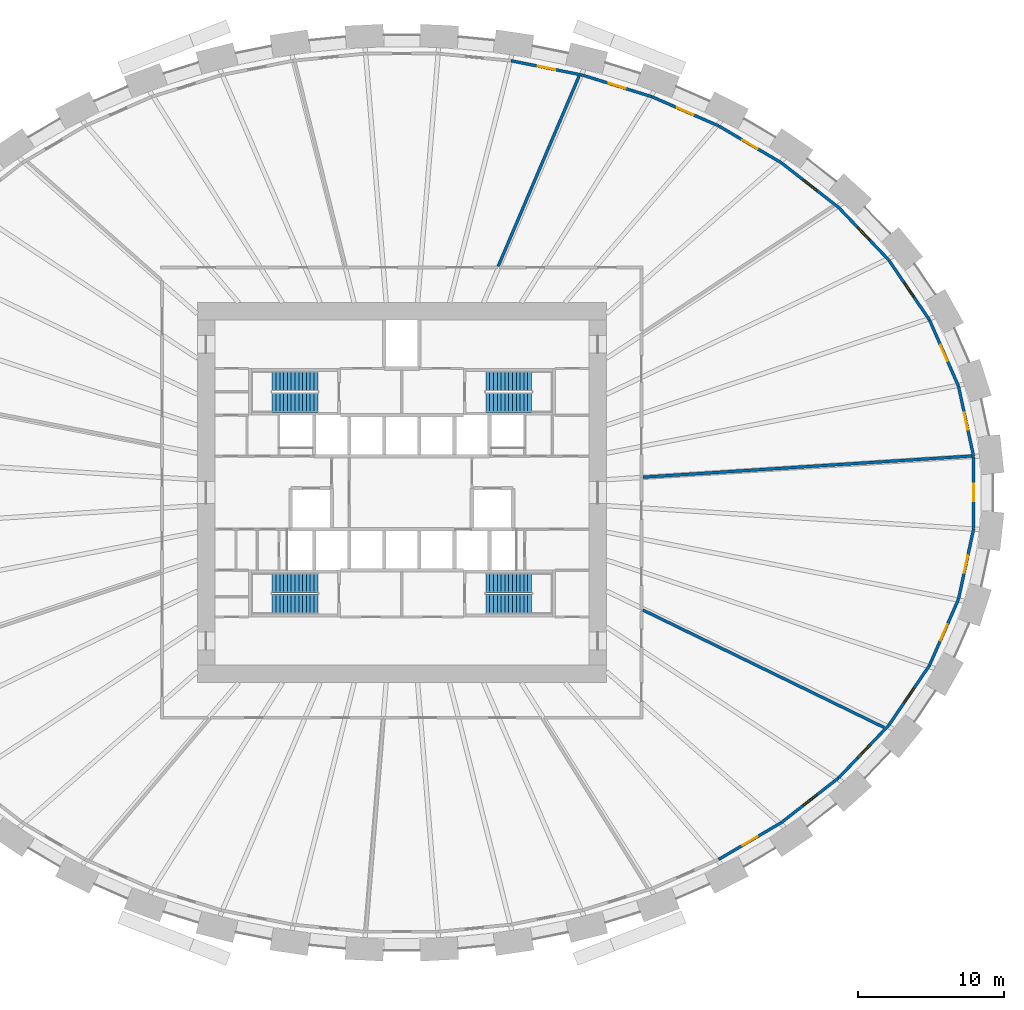
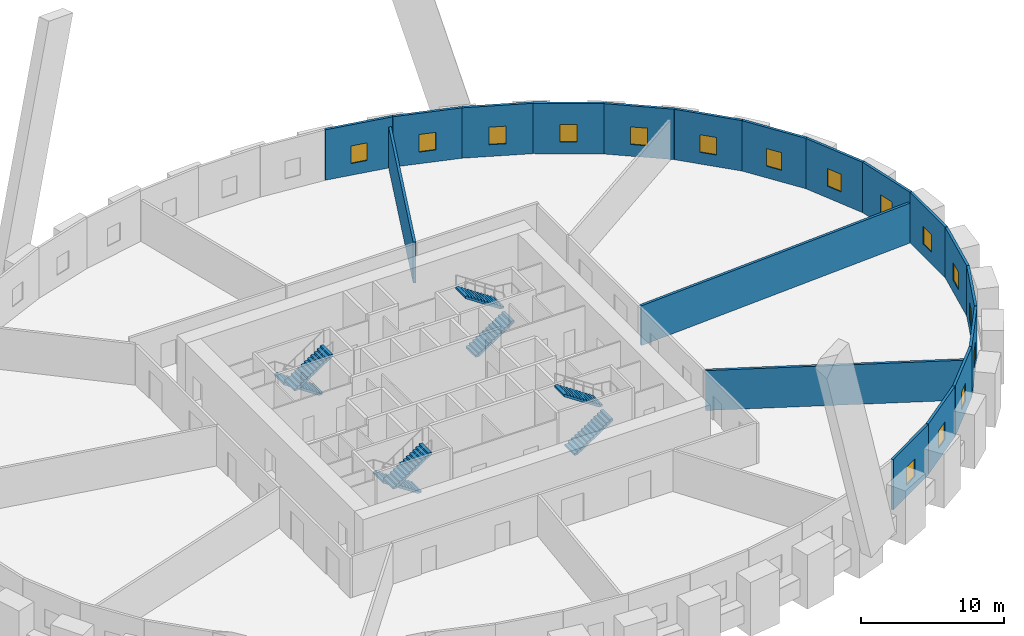
# One storey, part 8 of 9: 19 walls, 16 windows, 8 stair flights, 16 openings, 4 elements without a shape of their own.
"""IFC4 building model written with IfcOpenShell, lengths in metres."""

from ifc_helpers import new_model, si_unit, direction, frame, frame_2d, origin, place, context, subcontext, project, spatial, polyline, rectangle, outline, extrude, source, transform, mapped, material, layer, layer_set, type_object, element, fill, aggregate, save


model = new_model("IFC4")

# Units and contexts
model_context = context("Model", 3, precision=1e-05, world=origin(), true_north=direction((0.0, 1.0)))
body_context = subcontext(model_context, "Body", "Model", "MODEL_VIEW")
ifc_project = project(units=[si_unit("LENGTHUNIT", "METRE"), si_unit("AREAUNIT", "SQUARE_METRE"), si_unit("VOLUMEUNIT", "CUBIC_METRE"), si_unit("PLANEANGLEUNIT", "RADIAN"), si_unit("MASSUNIT", "GRAM", prefix="KILO")], contexts=[model_context])

# Site, building, storey
site_placement = place(None, origin())
site = spatial("IfcSite", under=ifc_project, at=site_placement, CompositionType="ELEMENT")
building_placement = place(site_placement, origin())
building = spatial("IfcBuilding", under=site, at=building_placement, Name="Embergate Tower", CompositionType="ELEMENT")
storey_placement = place(building_placement, frame((0.0, 0.0, 53.60009765625)))
storey = spatial("IfcBuildingStorey", under=building, at=storey_placement, Name="L09", CompositionType="ELEMENT", Elevation=53.60009765625)

# Wall, opening, window
ifc_material_1 = material(Name="Terracotta louvre cladding on insulated backing", Category="masonry")
ifc_layer_1 = layer(ifc_material_1, 0.199951171875)
ifc_layer_set_1 = layer_set([ifc_layer_1], Name="Terracotta louvre cladding on insulated backing")
wall_type_1 = type_object("IfcWallType", Name="Terracotta louvre wall", PredefinedType="SOLIDWALL", material=ifc_layer_set_1)
shared_shape_1 = source(origin(), body_context, "Body", "SweptSolid", [
    extrude(rectangle(XDim=4.91845703125, YDim=0.199951171875, at=frame_2d((2.459228515625, 0.0))), origin(), (0.0, 0.0, 1.0), 4.2998046875),
])
wall_1_placement = place(storey_placement, frame((38.085693359375, 7.285888671875, 0.0), z_axis=(0.0, 0.0, 1.0), x_axis=(0.210413762809, -0.977612422395, 0.0)))
wall_1 = element("IfcWall", 1, at=wall_1_placement, inside=storey, type_object=wall_type_1, Name="Louvre wall 1", PredefinedType="SOLIDWALL", context=body_context, shape_type="MappedRepresentation", body=[
    mapped(shared_shape_1, transform((0.0, 0.0, 0.0))),
])
shared_shape_2 = source(origin(), body_context, "Body", "SweptSolid", [
    extrude(rectangle(XDim=1.199951171875, YDim=1.5, at=frame_2d((0.60009765625, 0.75))), frame((0.0, 0.10986328125, 0.0), z_axis=(0.0, -1.0, 0.0), x_axis=(1.0, 0.0, 0.0)), (0.0, 0.0, 1.0), 0.219970703125),
])
opening_1_placement = place(wall_1_placement, frame((1.859130859375, 0.0, 1.0)))
opening_1 = element("IfcOpeningElement", 2, at=opening_1_placement, cuts=wall_1, Name="Opening RW", PredefinedType="OPENING", context=body_context, shape_type="MappedRepresentation", body=[
    mapped(shared_shape_2, transform((0.0, 0.0, 0.0))),
])
ifc_material_2 = material(Name="Aluminium, thermally broken, triple glazed", Category="aluminium")
window_type = type_object("IfcWindowType", Name="Refuge operable window", PartitioningType="SINGLE_PANEL", PredefinedType="WINDOW", material=ifc_material_2)
shared_shape_3 = source(origin(), body_context, "Body", "SweptSolid", [
    extrude(rectangle(XDim=1.199951171875, YDim=1.5, at=frame_2d((0.60009765625, 0.75))), frame((0.0, 0.030029296875, 0.0), z_axis=(0.0, -1.0, 0.0), x_axis=(1.0, 0.0, 0.0)), (0.0, 0.0, 1.0), 0.06005859375),
])
window_1_placement = place(opening_1_placement, origin())
window_1 = element("IfcWindow", 3, at=window_1_placement, inside=storey, type_object=window_type, Name="Refuge window 1", OverallHeight=1.5, OverallWidth=1.199951171875, PartitioningType="SINGLE_PANEL", PredefinedType="WINDOW", context=body_context, shape_type="MappedRepresentation", body=[
    mapped(shared_shape_3, transform((0.0, 0.0, 0.0))),
])
fill(opening_1, window_1)

wall_2_placement = place(storey_placement, frame((39.12060546875, -2.4775390625, 0.0), z_axis=(0.0, 0.0, 1.0), x_axis=(-0.210413762809, -0.977612422395, 0.0)))
wall_2 = element("IfcWall", 4, at=wall_2_placement, inside=storey, type_object=wall_type_1, Name="Louvre wall 43", PredefinedType="SOLIDWALL", context=body_context, shape_type="MappedRepresentation", body=[
    mapped(shared_shape_1, transform((0.0, 0.0, 0.0))),
])
opening_2_placement = place(wall_2_placement, frame((1.859130859375, 0.0, 1.0)))
opening_2 = element("IfcOpeningElement", 5, at=opening_2_placement, cuts=wall_2, Name="Opening RW", PredefinedType="OPENING", context=body_context, shape_type="MappedRepresentation", body=[
    mapped(shared_shape_2, transform((0.0, 0.0, 0.0))),
])
window_2_placement = place(opening_2_placement, origin())
window_2 = element("IfcWindow", 6, at=window_2_placement, inside=storey, type_object=window_type, Name="Refuge window 43", OverallHeight=1.5, OverallWidth=1.199951171875, PartitioningType="SINGLE_PANEL", PredefinedType="WINDOW", context=body_context, shape_type="MappedRepresentation", body=[
    mapped(shared_shape_3, transform((0.0, 0.0, 0.0))),
])
fill(opening_2, window_2)

shared_shape_4 = source(origin(), body_context, "Body", "SweptSolid", [
    extrude(rectangle(XDim=4.92578125, YDim=0.199951171875, at=frame_2d((2.462890625, 0.0))), origin(), (0.0, 0.0, 1.0), 4.2998046875),
])
wall_3_placement = place(storey_placement, frame((36.101318359375, 11.81591796875, 0.0), z_axis=(0.0, 0.0, 1.0), x_axis=(0.401622114254, -0.915805480079, 0.0)))
wall_3 = element("IfcWall", 7, at=wall_3_placement, inside=storey, type_object=wall_type_1, Name="Louvre wall 2", PredefinedType="SOLIDWALL", context=body_context, shape_type="MappedRepresentation", body=[
    mapped(shared_shape_4, transform((0.0, 0.0, 0.0))),
])
opening_3_placement = place(wall_3_placement, frame((1.86279296875, 0.0, 1.0)))
opening_3 = element("IfcOpeningElement", 8, at=opening_3_placement, cuts=wall_3, Name="Opening RW", PredefinedType="OPENING", context=body_context, shape_type="MappedRepresentation", body=[
    mapped(shared_shape_2, transform((0.0, 0.0, 0.0))),
])
window_3_placement = place(opening_3_placement, origin())
window_3 = element("IfcWindow", 9, at=window_3_placement, inside=storey, type_object=window_type, Name="Refuge window 2", OverallHeight=1.5, OverallWidth=1.199951171875, PartitioningType="SINGLE_PANEL", PredefinedType="WINDOW", context=body_context, shape_type="MappedRepresentation", body=[
    mapped(shared_shape_3, transform((0.0, 0.0, 0.0))),
])
fill(opening_3, window_3)

wall_4_placement = place(storey_placement, frame((38.07958984375, -7.304931640625, 0.0), z_axis=(0.0, 0.0, 1.0), x_axis=(-0.401622114254, -0.915805480079, 0.0)))
wall_4 = element("IfcWall", 10, at=wall_4_placement, inside=storey, type_object=wall_type_1, Name="Louvre wall 42", PredefinedType="SOLIDWALL", context=body_context, shape_type="MappedRepresentation", body=[
    mapped(shared_shape_4, transform((0.0, 0.0, 0.0))),
])
opening_4_placement = place(wall_4_placement, frame((1.86279296875, 0.0, 1.0)))
opening_4 = element("IfcOpeningElement", 11, at=opening_4_placement, cuts=wall_4, Name="Opening RW", PredefinedType="OPENING", context=body_context, shape_type="MappedRepresentation", body=[
    mapped(shared_shape_2, transform((0.0, 0.0, 0.0))),
])
window_4_placement = place(opening_4_placement, origin())
window_4 = element("IfcWindow", 12, at=window_4_placement, inside=storey, type_object=window_type, Name="Refuge window 42", OverallHeight=1.5, OverallWidth=1.199951171875, PartitioningType="SINGLE_PANEL", PredefinedType="WINDOW", context=body_context, shape_type="MappedRepresentation", body=[
    mapped(shared_shape_3, transform((0.0, 0.0, 0.0))),
])
fill(opening_4, window_4)

shared_shape_5 = source(origin(), body_context, "Body", "SweptSolid", [
    extrude(rectangle(XDim=4.934814453125, YDim=0.199951171875, at=frame_2d((2.46728515625, 0.0))), origin(), (0.0, 0.0, 1.0), 4.2998046875),
])
wall_5_placement = place(storey_placement, frame((33.316650390625, 15.913818359375, 0.0), z_axis=(0.0, 0.0, 1.0), x_axis=(0.562360088829, -0.826892454006, 0.0)))
wall_5 = element("IfcWall", 13, at=wall_5_placement, inside=storey, type_object=wall_type_1, Name="Louvre wall 3", PredefinedType="SOLIDWALL", context=body_context, shape_type="MappedRepresentation", body=[
    mapped(shared_shape_5, transform((0.0, 0.0, 0.0))),
])
opening_5_placement = place(wall_5_placement, frame((1.867431640625, 0.0, 1.0)))
opening_5 = element("IfcOpeningElement", 14, at=opening_5_placement, cuts=wall_5, Name="Opening RW", PredefinedType="OPENING", context=body_context, shape_type="MappedRepresentation", body=[
    mapped(shared_shape_2, transform((0.0, 0.0, 0.0))),
])
window_5_placement = place(opening_5_placement, origin())
window_5 = element("IfcWindow", 15, at=window_5_placement, inside=storey, type_object=window_type, Name="Refuge window 3", OverallHeight=1.5, OverallWidth=1.199951171875, PartitioningType="SINGLE_PANEL", PredefinedType="WINDOW", context=body_context, shape_type="MappedRepresentation", body=[
    mapped(shared_shape_3, transform((0.0, 0.0, 0.0))),
])
fill(opening_5, window_5)

wall_6_placement = place(storey_placement, frame((36.091796875, -11.833251953125, 0.0), z_axis=(0.0, 0.0, 1.0), x_axis=(-0.562360088829, -0.826892454006, 0.0)))
wall_6 = element("IfcWall", 16, at=wall_6_placement, inside=storey, type_object=wall_type_1, Name="Louvre wall 41", PredefinedType="SOLIDWALL", context=body_context, shape_type="MappedRepresentation", body=[
    mapped(shared_shape_5, transform((0.0, 0.0, 0.0))),
])
opening_6_placement = place(wall_6_placement, frame((1.867431640625, 0.0, 1.0)))
opening_6 = element("IfcOpeningElement", 17, at=opening_6_placement, cuts=wall_6, Name="Opening RW", PredefinedType="OPENING", context=body_context, shape_type="MappedRepresentation", body=[
    mapped(shared_shape_2, transform((0.0, 0.0, 0.0))),
])
window_6_placement = place(opening_6_placement, origin())
window_6 = element("IfcWindow", 18, at=window_6_placement, inside=storey, type_object=window_type, Name="Refuge window 41", OverallHeight=1.5, OverallWidth=1.199951171875, PartitioningType="SINGLE_PANEL", PredefinedType="WINDOW", context=body_context, shape_type="MappedRepresentation", body=[
    mapped(shared_shape_3, transform((0.0, 0.0, 0.0))),
])
fill(opening_6, window_6)

shared_shape_6 = source(origin(), body_context, "Body", "SweptSolid", [
    extrude(rectangle(XDim=4.94384765625, YDim=0.199951171875, at=frame_2d((2.471923828125, 0.0))), origin(), (0.0, 0.0, 1.0), 4.2998046875),
])
wall_7_placement = place(storey_placement, frame((29.892333984375, 19.507080078125, 0.0), z_axis=(0.0, 0.0, 1.0), x_axis=(0.690117440246, -0.723697394405, 0.0)))
wall_7 = element("IfcWall", 19, at=wall_7_placement, inside=storey, type_object=wall_type_1, Name="Louvre wall 4", PredefinedType="SOLIDWALL", context=body_context, shape_type="MappedRepresentation", body=[
    mapped(shared_shape_6, transform((0.0, 0.0, 0.0))),
])
opening_7_placement = place(wall_7_placement, frame((1.871826171875, 0.0, 1.0)))
opening_7 = element("IfcOpeningElement", 20, at=opening_7_placement, cuts=wall_7, Name="Opening RW", PredefinedType="OPENING", context=body_context, shape_type="MappedRepresentation", body=[
    mapped(shared_shape_2, transform((0.0, 0.0, 0.0))),
])
window_7_placement = place(opening_7_placement, origin())
window_7 = element("IfcWindow", 21, at=window_7_placement, inside=storey, type_object=window_type, Name="Refuge window 4", OverallHeight=1.5, OverallWidth=1.199951171875, PartitioningType="SINGLE_PANEL", PredefinedType="WINDOW", context=body_context, shape_type="MappedRepresentation", body=[
    mapped(shared_shape_3, transform((0.0, 0.0, 0.0))),
])
fill(opening_7, window_7)

wall_8_placement = place(storey_placement, frame((33.30419921875, -15.92919921875, 0.0), z_axis=(0.0, 0.0, 1.0), x_axis=(-0.690117440246, -0.723697394405, 0.0)))
wall_8 = element("IfcWall", 22, at=wall_8_placement, inside=storey, type_object=wall_type_1, Name="Louvre wall 40", PredefinedType="SOLIDWALL", context=body_context, shape_type="MappedRepresentation", body=[
    mapped(shared_shape_6, transform((0.0, 0.0, 0.0))),
])
opening_8_placement = place(wall_8_placement, frame((1.871826171875, 0.0, 1.0)))
opening_8 = element("IfcOpeningElement", 23, at=opening_8_placement, cuts=wall_8, Name="Opening RW", PredefinedType="OPENING", context=body_context, shape_type="MappedRepresentation", body=[
    mapped(shared_shape_2, transform((0.0, 0.0, 0.0))),
])
window_8_placement = place(opening_8_placement, origin())
window_8 = element("IfcWindow", 24, at=window_8_placement, inside=storey, type_object=window_type, Name="Refuge window 40", OverallHeight=1.5, OverallWidth=1.199951171875, PartitioningType="SINGLE_PANEL", PredefinedType="WINDOW", context=body_context, shape_type="MappedRepresentation", body=[
    mapped(shared_shape_3, transform((0.0, 0.0, 0.0))),
])
fill(opening_8, window_8)

shared_shape_7 = source(origin(), body_context, "Body", "SweptSolid", [
    extrude(rectangle(XDim=4.951416015625, YDim=0.199951171875, at=frame_2d((2.4755859375, 0.0))), origin(), (0.0, 0.0, 1.0), 4.2998046875),
])
wall_9_placement = place(storey_placement, frame((25.974365234375, 22.56689453125, 0.0), z_axis=(0.0, 0.0, 1.0), x_axis=(0.788326282833, -0.615257402877, 0.0)))
wall_9 = element("IfcWall", 25, at=wall_9_placement, inside=storey, type_object=wall_type_1, Name="Louvre wall 5", PredefinedType="SOLIDWALL", context=body_context, shape_type="MappedRepresentation", body=[
    mapped(shared_shape_7, transform((0.0, 0.0, 0.0))),
])
opening_9_placement = place(wall_9_placement, frame((1.875732421875, 0.0, 1.0)))
opening_9 = element("IfcOpeningElement", 26, at=opening_9_placement, cuts=wall_9, Name="Opening RW", PredefinedType="OPENING", context=body_context, shape_type="MappedRepresentation", body=[
    mapped(shared_shape_2, transform((0.0, 0.0, 0.0))),
])
window_9_placement = place(opening_9_placement, origin())
window_9 = element("IfcWindow", 27, at=window_9_placement, inside=storey, type_object=window_type, Name="Refuge window 5", OverallHeight=1.5, OverallWidth=1.199951171875, PartitioningType="SINGLE_PANEL", PredefinedType="WINDOW", context=body_context, shape_type="MappedRepresentation", body=[
    mapped(shared_shape_3, transform((0.0, 0.0, 0.0))),
])
fill(opening_9, window_9)

wall_10_placement = place(storey_placement, frame((29.877685546875, -19.5205078125, 0.0), z_axis=(0.0, 0.0, 1.0), x_axis=(-0.788326282833, -0.615257402877, 0.0)))
wall_10 = element("IfcWall", 28, at=wall_10_placement, inside=storey, type_object=wall_type_1, Name="Louvre wall 39", PredefinedType="SOLIDWALL", context=body_context, shape_type="MappedRepresentation", body=[
    mapped(shared_shape_7, transform((0.0, 0.0, 0.0))),
])
opening_10_placement = place(wall_10_placement, frame((1.875732421875, 0.0, 1.0)))
opening_10 = element("IfcOpeningElement", 29, at=opening_10_placement, cuts=wall_10, Name="Opening RW", PredefinedType="OPENING", context=body_context, shape_type="MappedRepresentation", body=[
    mapped(shared_shape_2, transform((0.0, 0.0, 0.0))),
])
window_10_placement = place(opening_10_placement, origin())
window_10 = element("IfcWindow", 30, at=window_10_placement, inside=storey, type_object=window_type, Name="Refuge window 39", OverallHeight=1.5, OverallWidth=1.199951171875, PartitioningType="SINGLE_PANEL", PredefinedType="WINDOW", context=body_context, shape_type="MappedRepresentation", body=[
    mapped(shared_shape_3, transform((0.0, 0.0, 0.0))),
])
fill(opening_10, window_10)

shared_shape_8 = source(origin(), body_context, "Body", "SweptSolid", [
    extrude(rectangle(XDim=4.95751953125, YDim=0.199951171875, at=frame_2d((2.478759765625, 0.0))), origin(), (0.0, 0.0, 1.0), 4.2998046875),
])
wall_11_placement = place(storey_placement, frame((21.68408203125, 25.090576171875, 0.0), z_axis=(0.0, 0.0, 1.0), x_axis=(0.86204306716, -0.506835032689, 0.0)))
wall_11 = element("IfcWall", 31, at=wall_11_placement, inside=storey, type_object=wall_type_1, Name="Louvre wall 6", PredefinedType="SOLIDWALL", context=body_context, shape_type="MappedRepresentation", body=[
    mapped(shared_shape_8, transform((0.0, 0.0, 0.0))),
])
opening_11_placement = place(wall_11_placement, frame((1.87890625, 0.0, 1.0)))
opening_11 = element("IfcOpeningElement", 32, at=opening_11_placement, cuts=wall_11, Name="Opening RW", PredefinedType="OPENING", context=body_context, shape_type="MappedRepresentation", body=[
    mapped(shared_shape_2, transform((0.0, 0.0, 0.0))),
])
window_11_placement = place(opening_11_placement, origin())
window_11 = element("IfcWindow", 33, at=window_11_placement, inside=storey, type_object=window_type, Name="Refuge window 6", OverallHeight=1.5, OverallWidth=1.199951171875, PartitioningType="SINGLE_PANEL", PredefinedType="WINDOW", context=body_context, shape_type="MappedRepresentation", body=[
    mapped(shared_shape_3, transform((0.0, 0.0, 0.0))),
])
fill(opening_11, window_11)

wall_12_placement = place(storey_placement, frame((25.957763671875, -22.577880859375, 0.0), z_axis=(0.0, 0.0, 1.0), x_axis=(-0.86204306716, -0.506835032689, 0.0)))
wall_12 = element("IfcWall", 34, at=wall_12_placement, inside=storey, type_object=wall_type_1, Name="Louvre wall 38", PredefinedType="SOLIDWALL", context=body_context, shape_type="MappedRepresentation", body=[
    mapped(shared_shape_8, transform((0.0, 0.0, 0.0))),
])
opening_12_placement = place(wall_12_placement, frame((1.87890625, 0.0, 1.0)))
opening_12 = element("IfcOpeningElement", 35, at=opening_12_placement, cuts=wall_12, Name="Opening RW", PredefinedType="OPENING", context=body_context, shape_type="MappedRepresentation", body=[
    mapped(shared_shape_2, transform((0.0, 0.0, 0.0))),
])
window_12_placement = place(opening_12_placement, origin())
window_12 = element("IfcWindow", 36, at=window_12_placement, inside=storey, type_object=window_type, Name="Refuge window 38", OverallHeight=1.5, OverallWidth=1.199951171875, PartitioningType="SINGLE_PANEL", PredefinedType="WINDOW", context=body_context, shape_type="MappedRepresentation", body=[
    mapped(shared_shape_3, transform((0.0, 0.0, 0.0))),
])
fill(opening_12, window_12)

shared_shape_9 = source(origin(), body_context, "Body", "SweptSolid", [
    extrude(rectangle(XDim=4.96240234375, YDim=0.199951171875, at=frame_2d((2.481201171875, 0.0))), origin(), (0.0, 0.0, 1.0), 4.2998046875),
])
wall_13_placement = place(storey_placement, frame((17.119873046875, 27.087890625, 0.0), z_axis=(0.0, 0.0, 1.0), x_axis=(0.916221684268, -0.40067171759, 0.0)))
wall_13 = element("IfcWall", 37, at=wall_13_placement, inside=storey, type_object=wall_type_1, Name="Louvre wall 7", PredefinedType="SOLIDWALL", context=body_context, shape_type="MappedRepresentation", body=[
    mapped(shared_shape_9, transform((0.0, 0.0, 0.0))),
])
opening_13_placement = place(wall_13_placement, frame((1.881103515625, 0.0, 1.0)))
opening_13 = element("IfcOpeningElement", 38, at=opening_13_placement, cuts=wall_13, Name="Opening RW", PredefinedType="OPENING", context=body_context, shape_type="MappedRepresentation", body=[
    mapped(shared_shape_2, transform((0.0, 0.0, 0.0))),
])
window_13_placement = place(opening_13_placement, origin())
window_13 = element("IfcWindow", 39, at=window_13_placement, inside=storey, type_object=window_type, Name="Refuge window 7", OverallHeight=1.5, OverallWidth=1.199951171875, PartitioningType="SINGLE_PANEL", PredefinedType="WINDOW", context=body_context, shape_type="MappedRepresentation", body=[
    mapped(shared_shape_3, transform((0.0, 0.0, 0.0))),
])
fill(opening_13, window_13)

shared_shape_10 = source(origin(), body_context, "Body", "SweptSolid", [
    extrude(rectangle(XDim=4.965576171875, YDim=0.199951171875, at=frame_2d((2.48291015625, 0.0))), origin(), (0.0, 0.0, 1.0), 4.2998046875),
])
wall_14_placement = place(storey_placement, frame((12.360107421875, 28.5712890625, 0.0), z_axis=(0.0, 0.0, 1.0), x_axis=(0.954765614981, -0.297359412916, 0.0)))
wall_14 = element("IfcWall", 40, at=wall_14_placement, inside=storey, type_object=wall_type_1, Name="Louvre wall 8", PredefinedType="SOLIDWALL", context=body_context, shape_type="MappedRepresentation", body=[
    mapped(shared_shape_10, transform((0.0, 0.0, 0.0))),
])
opening_14_placement = place(wall_14_placement, frame((1.8828125, 0.0, 1.0)))
opening_14 = element("IfcOpeningElement", 41, at=opening_14_placement, cuts=wall_14, Name="Opening RW", PredefinedType="OPENING", context=body_context, shape_type="MappedRepresentation", body=[
    mapped(shared_shape_2, transform((0.0, 0.0, 0.0))),
])
window_14_placement = place(opening_14_placement, origin())
window_14 = element("IfcWindow", 42, at=window_14_placement, inside=storey, type_object=window_type, Name="Refuge window 8", OverallHeight=1.5, OverallWidth=1.199951171875, PartitioningType="SINGLE_PANEL", PredefinedType="WINDOW", context=body_context, shape_type="MappedRepresentation", body=[
    mapped(shared_shape_3, transform((0.0, 0.0, 0.0))),
])
fill(opening_14, window_14)

shared_shape_11 = source(origin(), body_context, "Body", "SweptSolid", [
    extrude(rectangle(XDim=4.9677734375, YDim=0.199951171875, at=frame_2d((2.48388671875, 0.0))), origin(), (0.0, 0.0, 1.0), 4.2998046875),
])
wall_15_placement = place(storey_placement, frame((7.469970703125, 29.552978515625, 0.0), z_axis=(0.0, 0.0, 1.0), x_axis=(0.980478473898, -0.196626453515, 0.0)))
wall_15 = element("IfcWall", 43, at=wall_15_placement, inside=storey, type_object=wall_type_1, Name="Louvre wall 9", PredefinedType="SOLIDWALL", context=body_context, shape_type="MappedRepresentation", body=[
    mapped(shared_shape_11, transform((0.0, 0.0, 0.0))),
])
opening_15_placement = place(wall_15_placement, frame((1.8837890625, 0.0, 1.0)))
opening_15 = element("IfcOpeningElement", 44, at=opening_15_placement, cuts=wall_15, Name="Opening RW", PredefinedType="OPENING", context=body_context, shape_type="MappedRepresentation", body=[
    mapped(shared_shape_2, transform((0.0, 0.0, 0.0))),
])
window_15_placement = place(opening_15_placement, origin())
window_15 = element("IfcWindow", 45, at=window_15_placement, inside=storey, type_object=window_type, Name="Refuge window 9", OverallHeight=1.5, OverallWidth=1.199951171875, PartitioningType="SINGLE_PANEL", PredefinedType="WINDOW", context=body_context, shape_type="MappedRepresentation", body=[
    mapped(shared_shape_3, transform((0.0, 0.0, 0.0))),
])
fill(opening_15, window_15)

shared_shape_12 = source(origin(), body_context, "Body", "SweptSolid", [
    extrude(rectangle(XDim=4.91552734375, YDim=0.199951171875, at=frame_2d((2.457763671875, 0.0))), origin(), (0.0, 0.0, 1.0), 4.2998046875),
])
wall_16_placement = place(storey_placement, frame((39.122802734375, 2.457763671875, 0.0), z_axis=(0.0, 0.0, 1.0), x_axis=(0.0, -1.0, 0.0)))
wall_16 = element("IfcWall", 46, at=wall_16_placement, inside=storey, type_object=wall_type_1, Name="Louvre wall 44", PredefinedType="SOLIDWALL", context=body_context, shape_type="MappedRepresentation", body=[
    mapped(shared_shape_12, transform((0.0, 0.0, 0.0))),
])
opening_16_placement = place(wall_16_placement, frame((1.85791015625, 0.0, 1.0)))
opening_16 = element("IfcOpeningElement", 47, at=opening_16_placement, cuts=wall_16, Name="Opening RW", PredefinedType="OPENING", context=body_context, shape_type="MappedRepresentation", body=[
    mapped(shared_shape_2, transform((0.0, 0.0, 0.0))),
])
window_16_placement = place(opening_16_placement, origin())
window_16 = element("IfcWindow", 48, at=window_16_placement, inside=storey, type_object=window_type, Name="Refuge window 44", OverallHeight=1.5, OverallWidth=1.199951171875, PartitioningType="SINGLE_PANEL", PredefinedType="WINDOW", context=body_context, shape_type="MappedRepresentation", body=[
    mapped(shared_shape_3, transform((0.0, 0.0, 0.0))),
])
fill(opening_16, window_16)

# Walls
ifc_material_3 = material(Name="Blockwork, plastered", Category="masonry")
ifc_layer_2 = layer(ifc_material_3, 0.199951171875)
ifc_layer_set_2 = layer_set([ifc_layer_2], Name="Blockwork, plastered")
wall_type_2 = type_object("IfcWallType", Name="Fire partition wall 200 block", PredefinedType="PARTITIONING", material=ifc_layer_set_2)
shared_shape_13 = source(origin(), body_context, "Body", "SweptSolid", [
    extrude(rectangle(XDim=14.15380859375, YDim=0.199951171875, at=frame_2d((7.076904296875, 0.0))), origin(), (0.0, 0.0, 1.0), 3.5),
])
wall_17_placement = place(storey_placement, frame((6.590087890625, 15.491943359375, 0.0), z_axis=(0.0, 0.0, 1.0), x_axis=(0.391484315577, 0.920184780714, 0.0)))
element("IfcWall", 49, at=wall_17_placement, inside=storey, type_object=wall_type_2, Name="Partition 014", PredefinedType="PARTITIONING", context=body_context, shape_type="MappedRepresentation", body=[
    mapped(shared_shape_13, transform((0.0, 0.0, 0.0))),
])
shared_shape_14 = source(origin(), body_context, "Body", "SweptSolid", [
    extrude(rectangle(XDim=18.3720703125, YDim=0.199951171875, at=frame_2d((9.18603515625, 0.0))), origin(), (0.0, 0.0, 1.0), 3.39990234375),
])
wall_18_placement = place(storey_placement, frame((16.489990234375, -8.029052734375, 0.0), z_axis=(0.0, 0.0, 1.0), x_axis=(0.899081880847, -0.437780506113, 0.0)))
element("IfcWall", 50, at=wall_18_placement, inside=storey, type_object=wall_type_2, Name="Partition 020", PredefinedType="PARTITIONING", context=body_context, shape_type="MappedRepresentation", body=[
    mapped(shared_shape_14, transform((0.0, 0.0, 0.0))),
])
shared_shape_15 = source(origin(), body_context, "Body", "SweptSolid", [
    extrude(rectangle(XDim=22.552734375, YDim=0.199951171875, at=frame_2d((11.2763671875, 0.0))), origin(), (0.0, 0.0, 1.0), 3.39990234375),
])
wall_19_placement = place(storey_placement, frame((39.006103515625, 2.510986328125, 0.0), z_axis=(0.0, 0.0, 1.0), x_axis=(-0.997931160604, -0.064291513401, 0.0)))
element("IfcWall", 51, at=wall_19_placement, inside=storey, type_object=wall_type_2, Name="Partition 025", PredefinedType="PARTITIONING", context=body_context, shape_type="MappedRepresentation", body=[
    mapped(shared_shape_15, transform((0.0, 0.0, 0.0))),
])

# Stair, stair flights
ifc_material_4 = material(Name="Exit stair")
stair_type = type_object("IfcStairType", Name="Exit stair", PredefinedType="HALF_TURN_STAIR", material=ifc_material_4)
stair_1_placement = place(storey_placement, origin())
stair_1 = element("IfcStair", 52, at=stair_1_placement, inside=storey, type_object=stair_type, Name="L09 Exit stair 1", PredefinedType="HALF_TURN_STAIR")
ifc_material_5 = material(Name="Concrete C40", Category="concrete")
stair_flight_type = type_object("IfcStairFlightType", Name="Stair flight reinforced concrete", PredefinedType="STRAIGHT", material=ifc_material_5)
shared_shape_16 = source(origin(), body_context, "Body", "SweptSolid", [
    extrude(outline(polyline([(0.0, 0.0), (0.0, 0.173095703125), (0.260009765625, 0.173095703125), (0.260009765625, 0.34619140625), (0.52001953125, 0.34619140625), (0.52001953125, 0.519287109375), (0.780029296875, 0.519287109375), (0.780029296875, 0.6923828125), (1.0400390625, 0.6923828125), (1.0400390625, 0.865478515625), (1.300048828125, 0.865478515625), (1.300048828125, 1.03857421875), (1.56005859375, 1.03857421875), (1.56005859375, 1.21142578125), (1.820068359375, 1.21142578125), (1.820068359375, 1.384521484375), (2.080078125, 1.384521484375), (2.080078125, 1.5576171875), (2.340087890625, 1.5576171875), (2.340087890625, 1.730712890625), (2.60009765625, 1.730712890625), (2.60009765625, 1.90380859375), (2.860107421875, 1.90380859375), (2.860107421875, 2.076904296875), (3.1201171875, 2.076904296875), (3.1201171875, 2.25), (3.1201171875, 1.896728515625), (0.2705078125, 0.0), (0.0, 0.0)])), frame((0.0, 0.675048828125, 0.0), z_axis=(0.0, -1.0, 0.0), x_axis=(1.0, 0.0, 0.0)), (0.0, 0.0, 1.0), 1.35009765625),
])
stair_flight_1_placement = place(storey_placement, frame((-5.75, 7.625, 0.0), z_axis=(0.0, 0.0, 1.0), x_axis=(-1.0, 0.0, 0.0)))
stair_flight_1 = element("IfcStairFlight", 53, at=stair_flight_1_placement, type_object=stair_flight_type, Name="ST1 flight 1", NumberOfRisers=13, NumberOfTreads=12, PredefinedType="STRAIGHT", RiserHeight=0.173076923, TreadLength=0.26, context=body_context, shape_type="MappedRepresentation", body=[
    mapped(shared_shape_16, transform((0.0, 0.0, 0.0))),
])
stair_flight_2_placement = place(storey_placement, frame((-8.8701171875, 6.175048828125, 2.25), z_axis=(0.0, 0.0, 1.0), x_axis=(1.0, 0.0, 0.0)))
stair_flight_2 = element("IfcStairFlight", 54, at=stair_flight_2_placement, type_object=stair_flight_type, Name="ST1 flight 2", NumberOfRisers=13, NumberOfTreads=12, PredefinedType="STRAIGHT", RiserHeight=0.173076923, TreadLength=0.26, context=body_context, shape_type="MappedRepresentation", body=[
    mapped(shared_shape_16, transform((0.0, 0.0, 0.0))),
])
aggregate(stair_1, [stair_flight_1, stair_flight_2])

stair_2_placement = place(storey_placement, origin())
stair_2 = element("IfcStair", 55, at=stair_2_placement, inside=storey, type_object=stair_type, Name="L09 Exit stair 2", PredefinedType="HALF_TURN_STAIR")
stair_flight_3_placement = place(storey_placement, frame((5.75, 6.175048828125, 0.0), z_axis=(0.0, 0.0, 1.0), x_axis=(1.0, 0.0, 0.0)))
stair_flight_3 = element("IfcStairFlight", 56, at=stair_flight_3_placement, type_object=stair_flight_type, Name="ST2 flight 1", NumberOfRisers=13, NumberOfTreads=12, PredefinedType="STRAIGHT", RiserHeight=0.173076923, TreadLength=0.26, context=body_context, shape_type="MappedRepresentation", body=[
    mapped(shared_shape_16, transform((0.0, 0.0, 0.0))),
])
stair_flight_4_placement = place(storey_placement, frame((8.8701171875, 7.625, 2.25), z_axis=(0.0, 0.0, 1.0), x_axis=(-1.0, 0.0, 0.0)))
stair_flight_4 = element("IfcStairFlight", 57, at=stair_flight_4_placement, type_object=stair_flight_type, Name="ST2 flight 2", NumberOfRisers=13, NumberOfTreads=12, PredefinedType="STRAIGHT", RiserHeight=0.173076923, TreadLength=0.26, context=body_context, shape_type="MappedRepresentation", body=[
    mapped(shared_shape_16, transform((0.0, 0.0, 0.0))),
])
aggregate(stair_2, [stair_flight_3, stair_flight_4])

stair_3_placement = place(storey_placement, origin())
stair_3 = element("IfcStair", 58, at=stair_3_placement, inside=storey, type_object=stair_type, Name="L09 Exit stair 3", PredefinedType="HALF_TURN_STAIR")
stair_flight_5_placement = place(storey_placement, frame((-5.75, -6.175048828125, 0.0), z_axis=(0.0, 0.0, 1.0), x_axis=(-1.0, 0.0, 0.0)))
stair_flight_5 = element("IfcStairFlight", 59, at=stair_flight_5_placement, type_object=stair_flight_type, Name="ST3 flight 1", NumberOfRisers=13, NumberOfTreads=12, PredefinedType="STRAIGHT", RiserHeight=0.173076923, TreadLength=0.26, context=body_context, shape_type="MappedRepresentation", body=[
    mapped(shared_shape_16, transform((0.0, 0.0, 0.0))),
])
stair_flight_6_placement = place(storey_placement, frame((-8.8701171875, -7.625, 2.25), z_axis=(0.0, 0.0, 1.0), x_axis=(1.0, 0.0, 0.0)))
stair_flight_6 = element("IfcStairFlight", 60, at=stair_flight_6_placement, type_object=stair_flight_type, Name="ST3 flight 2", NumberOfRisers=13, NumberOfTreads=12, PredefinedType="STRAIGHT", RiserHeight=0.173076923, TreadLength=0.26, context=body_context, shape_type="MappedRepresentation", body=[
    mapped(shared_shape_16, transform((0.0, 0.0, 0.0))),
])
aggregate(stair_3, [stair_flight_5, stair_flight_6])

stair_4_placement = place(storey_placement, origin())
stair_4 = element("IfcStair", 61, at=stair_4_placement, inside=storey, type_object=stair_type, Name="L09 Exit stair 4", PredefinedType="HALF_TURN_STAIR")
stair_flight_7_placement = place(storey_placement, frame((5.75, -7.625, 0.0), z_axis=(0.0, 0.0, 1.0), x_axis=(1.0, 0.0, 0.0)))
stair_flight_7 = element("IfcStairFlight", 62, at=stair_flight_7_placement, type_object=stair_flight_type, Name="ST4 flight 1", NumberOfRisers=13, NumberOfTreads=12, PredefinedType="STRAIGHT", RiserHeight=0.173076923, TreadLength=0.26, context=body_context, shape_type="MappedRepresentation", body=[
    mapped(shared_shape_16, transform((0.0, 0.0, 0.0))),
])
stair_flight_8_placement = place(storey_placement, frame((8.8701171875, -6.175048828125, 2.25), z_axis=(0.0, 0.0, 1.0), x_axis=(-1.0, 0.0, 0.0)))
stair_flight_8 = element("IfcStairFlight", 63, at=stair_flight_8_placement, type_object=stair_flight_type, Name="ST4 flight 2", NumberOfRisers=13, NumberOfTreads=12, PredefinedType="STRAIGHT", RiserHeight=0.173076923, TreadLength=0.26, context=body_context, shape_type="MappedRepresentation", body=[
    mapped(shared_shape_16, transform((0.0, 0.0, 0.0))),
])
aggregate(stair_4, [stair_flight_7, stair_flight_8])

save(model, "model.ifc")
